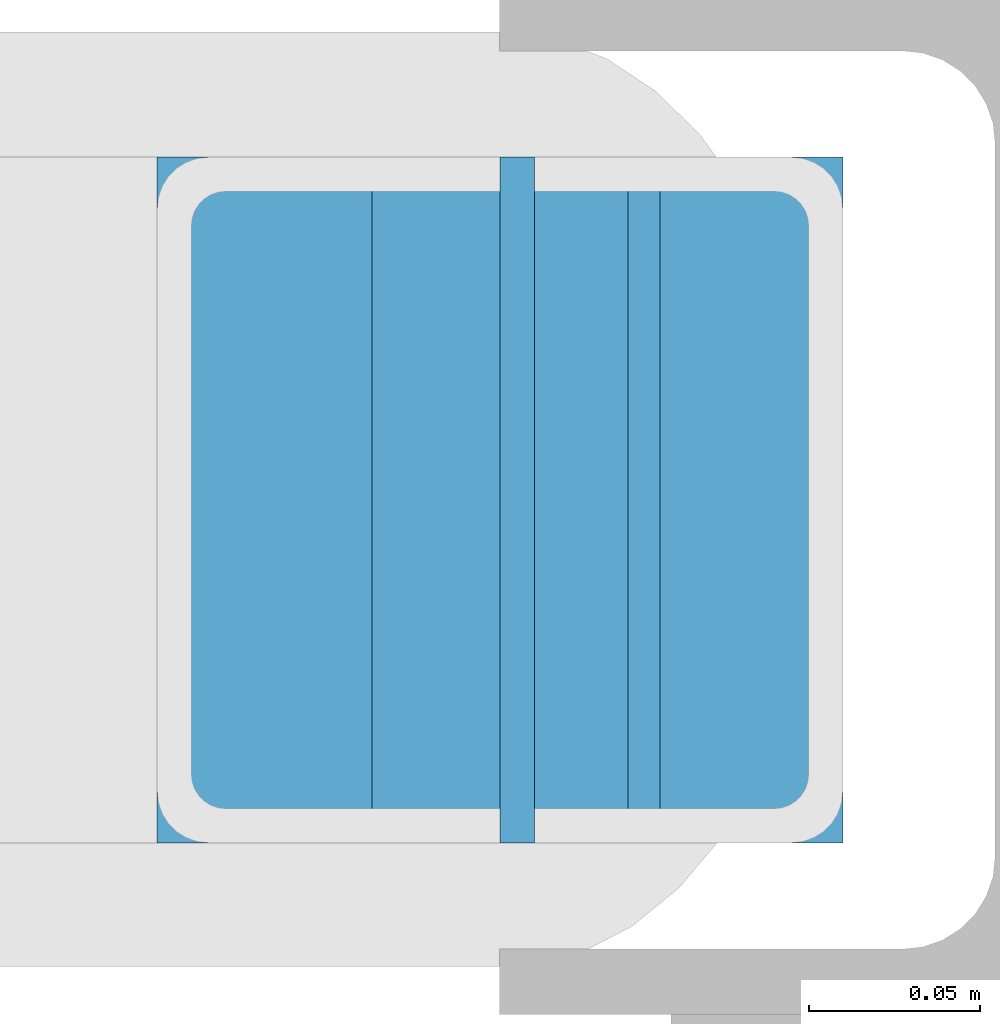
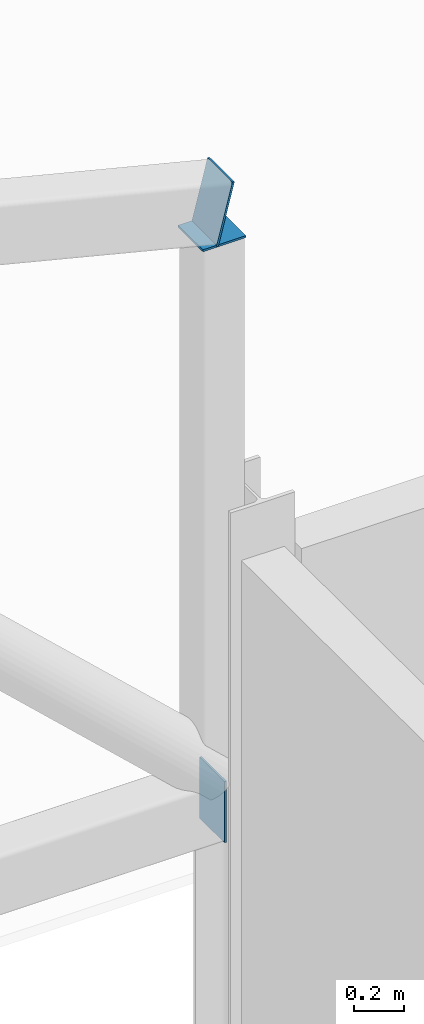
# One storey, part 124 of 149: 3 discrete accessories.
"""IFC4 building model written with IfcOpenShell, lengths in metres."""

from ifc_helpers import new_model, si_unit, direction, frame, origin, origin_2d, place, context, subcontext, project, spatial, rectangle, extrude, material, material_profile, profile_set, type_object, element, save


model = new_model("IFC4")

# Units and contexts
model_context = context("Model", 3, precision=1e-05, world=origin(), true_north=direction((0.0, 1.0)))
body_context = subcontext(model_context, "Body", "Model", "MODEL_VIEW")
ifc_project = project(units=[si_unit("LENGTHUNIT", "METRE"), si_unit("AREAUNIT", "SQUARE_METRE"), si_unit("VOLUMEUNIT", "CUBIC_METRE"), si_unit("PLANEANGLEUNIT", "RADIAN"), si_unit("MASSUNIT", "GRAM", prefix="KILO")], contexts=[model_context])

# Site, building, storey
site_placement = place(None, origin())
site = spatial("IfcSite", under=ifc_project, at=site_placement, CompositionType="ELEMENT")
building_placement = place(site_placement, origin())
building = spatial("IfcBuilding", under=site, at=building_placement, Name="Kallimachos Central Library", CompositionType="ELEMENT")
storey_placement = place(building_placement, frame((0.0, 0.0, 9.89990234375)))
storey = spatial("IfcBuildingStorey", under=building, at=storey_placement, Name="L02", CompositionType="ELEMENT", Elevation=9.89990234375)

# Discrete accessories
ifc_material_1 = material(Name="Steel S355J2", Category="steel")
ifc_material_profile_1 = material_profile(ifc_material_1, rectangle(XDim=0.199951171875, YDim=0.199951171875, at=origin_2d()), Name="End cap plate 10, 200x200")
ifc_profile_set_1 = profile_set([ifc_material_profile_1], Name="Steel S355J2")
discrete_accessory_type_1 = type_object("IfcDiscreteAccessoryType", Name="End cap plate 10, 200x200", PredefinedType="BRACKET", material=ifc_profile_set_1)
discrete_accessory_1_placement = place(storey_placement, frame((161.85009765625, 96.0, 5.78759765625), z_axis=(0.0, 0.0, 1.0), x_axis=(1.0, 0.0, 0.0)))
element("IfcDiscreteAccessory", 1, at=discrete_accessory_1_placement, inside=storey, type_object=discrete_accessory_type_1, Name="End cap plate", PredefinedType="BRACKET", context=body_context, shape_type="SweptSolid", body=[
    extrude(rectangle(XDim=0.199951171875, YDim=0.199951171875, at=origin_2d()), origin(), (0.0, 0.0, 1.0), 0.010009765625),
])
ifc_material_2 = material(Name="Steel S355J2", Category="steel")
ifc_material_profile_2 = material_profile(ifc_material_2, rectangle(XDim=0.199951171875, YDim=0.300048828125, at=origin_2d()), Name="End cap plate 10, 200x300")
ifc_profile_set_2 = profile_set([ifc_material_profile_2], Name="Steel S355J2")
discrete_accessory_type_2 = type_object("IfcDiscreteAccessoryType", Name="End cap plate 10, 200x300", PredefinedType="BRACKET", material=ifc_profile_set_2)
discrete_accessory_2_placement = place(storey_placement, frame((161.85009765625, 96.0, 3.0), z_axis=(1.0, 0.0, 0.0), x_axis=(0.0, 1.0, 0.0)))
element("IfcDiscreteAccessory", 2, at=discrete_accessory_2_placement, inside=storey, type_object=discrete_accessory_type_2, Name="End cap plate", PredefinedType="BRACKET", context=body_context, shape_type="SweptSolid", body=[
    extrude(rectangle(XDim=0.199951171875, YDim=0.300048828125, at=origin_2d()), origin(), (0.0, 0.0, 1.0), 0.010009765625),
])
discrete_accessory_3_placement = place(storey_placement, frame((161.85009765625, 96.0, 5.9375), z_axis=(0.968663866044, 0.0, -0.248375350268), x_axis=(0.0, 1.0, 0.0)))
element("IfcDiscreteAccessory", 3, at=discrete_accessory_3_placement, inside=storey, type_object=discrete_accessory_type_2, Name="End cap plate", PredefinedType="BRACKET", context=body_context, shape_type="SweptSolid", body=[
    extrude(rectangle(XDim=0.199951171875, YDim=0.300048828125, at=origin_2d()), origin(), (0.0, 0.0, 1.0), 0.009765625),
])

save(model, "model.ifc")
